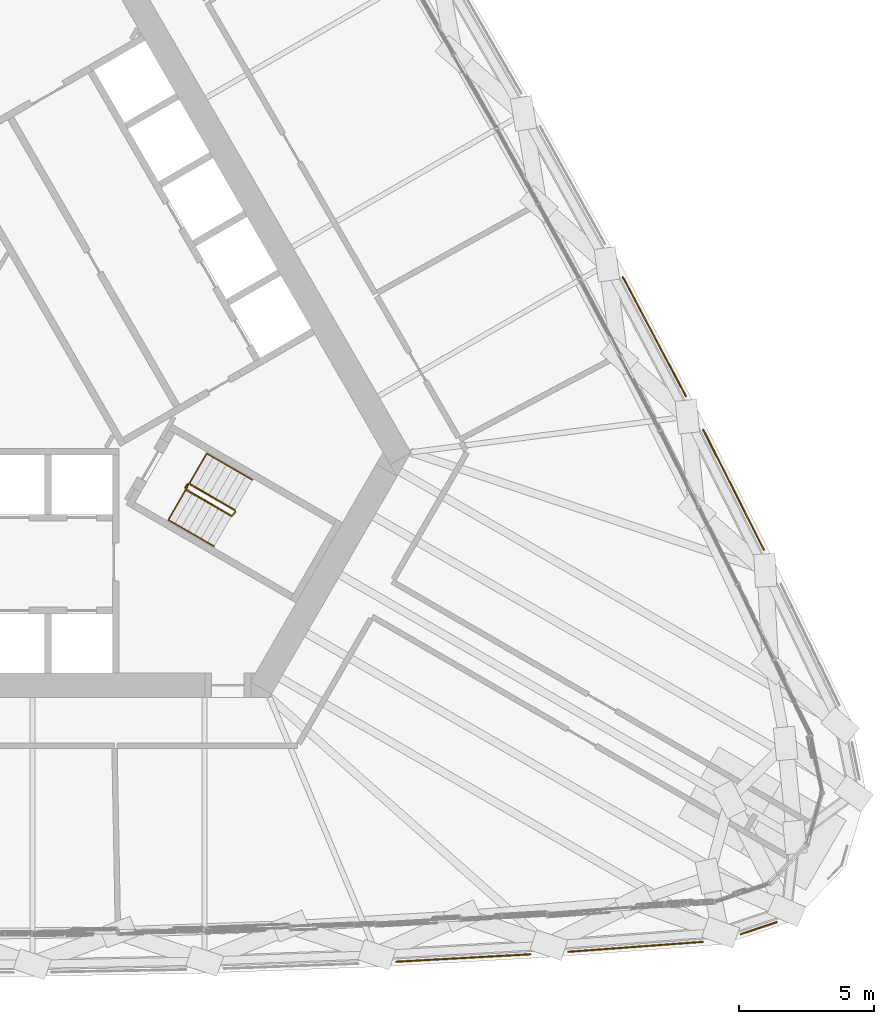
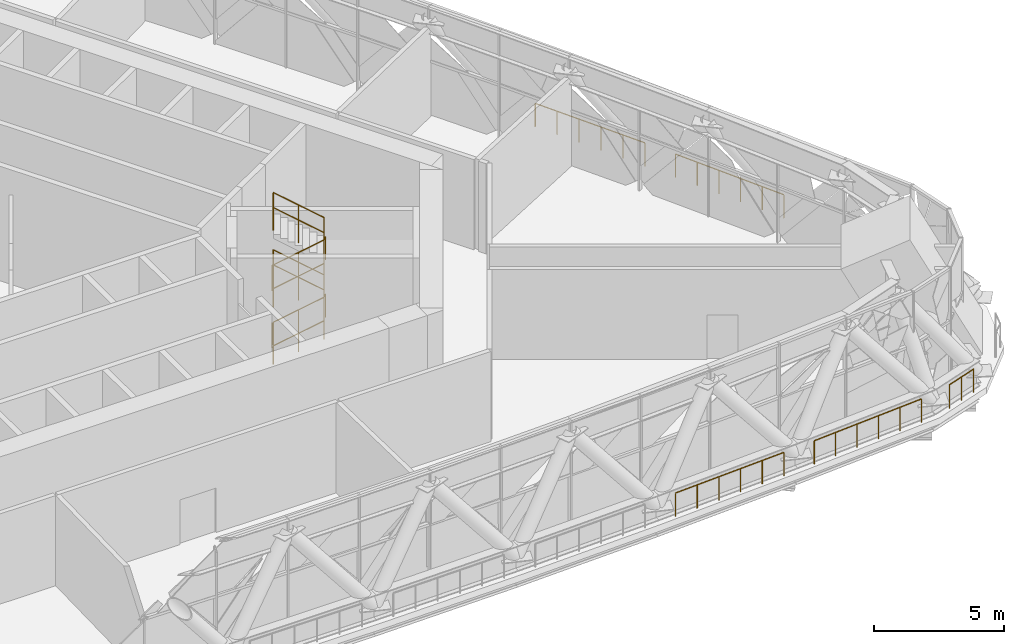
# One storey, part 40 of 43: 11 railings.
"""IFC4 building model written with IfcOpenShell, lengths in metres."""

from ifc_helpers import new_model, si_unit, direction, frame, origin, origin_2d, place, context, subcontext, project, spatial, circle, extrude, material, type_object, element, save


model = new_model("IFC4")

# Units and contexts
model_context = context("Model", 3, precision=1e-05, world=origin(), true_north=direction((0.0, 1.0)))
body_context = subcontext(model_context, "Body", "Model", "MODEL_VIEW")
ifc_project = project(units=[si_unit("LENGTHUNIT", "METRE"), si_unit("AREAUNIT", "SQUARE_METRE"), si_unit("VOLUMEUNIT", "CUBIC_METRE"), si_unit("PLANEANGLEUNIT", "RADIAN"), si_unit("MASSUNIT", "GRAM", prefix="KILO")], contexts=[model_context])

# Site, building, storey
site_placement = place(None, origin())
site = spatial("IfcSite", under=ifc_project, at=site_placement, CompositionType="ELEMENT")
building_placement = place(site_placement, origin())
building = spatial("IfcBuilding", under=site, at=building_placement, Name="Mestral Congress Tower", CompositionType="ELEMENT")
storey_placement = place(building_placement, frame((0.0, 0.0, 78.300048828125)))
storey = spatial("IfcBuildingStorey", under=building, at=storey_placement, Name="L18", CompositionType="ELEMENT", Elevation=78.300048828125)

# Railings
ifc_material_1 = material(Name="Stainless steel", Category="steel")
railing_type_1 = type_object("IfcRailingType", Name="Facade guard 1120 steel and glass", PredefinedType="GUARDRAIL", material=ifc_material_1)
railing_1_placement = place(storey_placement, frame((16.710693359375, -22.819091796875, 0.0)))
element("IfcRailing", 1, at=railing_1_placement, inside=storey, type_object=railing_type_1, Name="Band guard F0-07", PredefinedType="GUARDRAIL", context=body_context, shape_type="SweptSolid", body=[
    extrude(circle(Radius=0.02392578125, at=origin_2d()), frame((0.0, 0.0, 1.09619140625), z_axis=(0.998462156136, 0.055437557343, 0.0), x_axis=(-0.055437557343, 0.998462156136, 0.0)), (0.0, 0.0, 1.0), 4.998291015625),
    extrude(circle(Radius=0.02099609375, at=origin_2d()), origin(), (0.0, 0.0, 1.0), 1.072021484375),
    extrude(circle(Radius=0.02099609375, at=origin_2d()), frame((0.998046875, 0.055419921875, 0.0)), (0.0, 0.0, 1.0), 1.072021484375),
    extrude(circle(Radius=0.02099609375, at=origin_2d()), frame((1.996337890625, 0.11083984375, 0.0)), (0.0, 0.0, 1.0), 1.072021484375),
    extrude(circle(Radius=0.02099609375, at=origin_2d()), frame((2.994384765625, 0.166259765625, 0.0)), (0.0, 0.0, 1.0), 1.072021484375),
    extrude(circle(Radius=0.02099609375, at=origin_2d()), frame((3.99267578125, 0.2216796875, 0.0)), (0.0, 0.0, 1.0), 1.072021484375),
    extrude(circle(Radius=0.02099609375, at=origin_2d()), frame((4.99072265625, 0.277099609375, 0.0)), (0.0, 0.0, 1.0), 1.072021484375),
])
railing_2_placement = place(storey_placement, frame((23.10546875, -22.450927734375, 0.0)))
element("IfcRailing", 2, at=railing_2_placement, inside=storey, type_object=railing_type_1, Name="Band guard F0-08", PredefinedType="GUARDRAIL", context=body_context, shape_type="SweptSolid", body=[
    extrude(circle(Radius=0.02392578125, at=origin_2d()), frame((0.0, 0.0, 1.09619140625), z_axis=(0.997269883304, 0.073842940447, 0.0), x_axis=(-0.073842940447, 0.997269883304, 0.0)), (0.0, 0.0, 1.0), 5.005615234375),
    extrude(circle(Radius=0.02099609375, at=origin_2d()), origin(), (0.0, 0.0, 1.0), 1.072021484375),
    extrude(circle(Radius=0.02099609375, at=origin_2d()), frame((0.998291015625, 0.073974609375, 0.0)), (0.0, 0.0, 1.0), 1.072021484375),
    extrude(circle(Radius=0.02099609375, at=origin_2d()), frame((1.996826171875, 0.14794921875, 0.0)), (0.0, 0.0, 1.0), 1.072021484375),
    extrude(circle(Radius=0.02099609375, at=origin_2d()), frame((2.9951171875, 0.2216796875, 0.0)), (0.0, 0.0, 1.0), 1.072021484375),
    extrude(circle(Radius=0.02099609375, at=origin_2d()), frame((3.99365234375, 0.295654296875, 0.0)), (0.0, 0.0, 1.0), 1.072021484375),
    extrude(circle(Radius=0.02099609375, at=origin_2d()), frame((4.991943359375, 0.36962890625, 0.0)), (0.0, 0.0, 1.0), 1.072021484375),
])
railing_3_placement = place(storey_placement, frame((29.51025390625, -21.797607421875, 0.0)))
element("IfcRailing", 3, at=railing_3_placement, inside=storey, type_object=railing_type_1, Name="Band guard K0-0", PredefinedType="GUARDRAIL", context=body_context, shape_type="SweptSolid", body=[
    extrude(circle(Radius=0.02392578125, at=origin_2d()), frame((0.0, 0.0, 1.09619140625), z_axis=(0.947851773656, 0.31871149207, 0.0), x_axis=(-0.31871149207, 0.947851773656, 0.0)), (0.0, 0.0, 1.0), 1.414794921875),
    extrude(circle(Radius=0.02099609375, at=origin_2d()), origin(), (0.0, 0.0, 1.0), 1.072021484375),
    extrude(circle(Radius=0.02099609375, at=origin_2d()), frame((0.67041015625, 0.2255859375, 0.0)), (0.0, 0.0, 1.0), 1.072021484375),
    extrude(circle(Radius=0.02099609375, at=origin_2d()), frame((1.341064453125, 0.450927734375, 0.0)), (0.0, 0.0, 1.0), 1.072021484375),
])
railing_4_placement = place(storey_placement, frame((30.37255859375, -7.522705078125, 0.0)))
element("IfcRailing", 4, at=railing_4_placement, inside=storey, type_object=railing_type_1, Name="Band guard F1-01", PredefinedType="GUARDRAIL", context=body_context, shape_type="SweptSolid", body=[
    extrude(circle(Radius=0.02392578125, at=origin_2d()), frame((0.0, 0.0, 1.09619140625), z_axis=(-0.451233929645, 0.892405704115, 0.0), x_axis=(-0.892405704115, -0.451233929645, 0.0)), (0.0, 0.0, 1.0), 4.998291015625),
    extrude(circle(Radius=0.02099609375, at=origin_2d()), origin(), (0.0, 0.0, 1.0), 1.072021484375),
    extrude(circle(Radius=0.02099609375, at=origin_2d()), frame((-0.451171875, 0.89208984375, 0.0)), (0.0, 0.0, 1.0), 1.072021484375),
    extrude(circle(Radius=0.02099609375, at=origin_2d()), frame((-0.902099609375, 1.7841796875, 0.0)), (0.0, 0.0, 1.0), 1.072021484375),
    extrude(circle(Radius=0.02099609375, at=origin_2d()), frame((-1.353271484375, 2.67626953125, 0.0)), (0.0, 0.0, 1.0), 1.072021484375),
    extrude(circle(Radius=0.02099609375, at=origin_2d()), frame((-1.80419921875, 3.568359375, 0.0)), (0.0, 0.0, 1.0), 1.072021484375),
    extrude(circle(Radius=0.02099609375, at=origin_2d()), frame((-2.25537109375, 4.46044921875, 0.0)), (0.0, 0.0, 1.0), 1.072021484375),
])
railing_5_placement = place(storey_placement, frame((27.470703125, -1.8125, 0.0)))
element("IfcRailing", 5, at=railing_5_placement, inside=storey, type_object=railing_type_1, Name="Band guard F1-02", PredefinedType="GUARDRAIL", context=body_context, shape_type="SweptSolid", body=[
    extrude(circle(Radius=0.02392578125, at=origin_2d()), frame((0.0, 0.0, 1.09619140625), z_axis=(-0.467649811159, 0.883913827317, 0.0), x_axis=(-0.883913827317, -0.467649811159, 0.0)), (0.0, 0.0, 1.0), 4.998291015625),
    extrude(circle(Radius=0.02099609375, at=origin_2d()), origin(), (0.0, 0.0, 1.0), 1.072021484375),
    extrude(circle(Radius=0.02099609375, at=origin_2d()), frame((-0.467529296875, 0.883544921875, 0.0)), (0.0, 0.0, 1.0), 1.072021484375),
    extrude(circle(Radius=0.02099609375, at=origin_2d()), frame((-0.93505859375, 1.76708984375, 0.0)), (0.0, 0.0, 1.0), 1.072021484375),
    extrude(circle(Radius=0.02099609375, at=origin_2d()), frame((-1.40234375, 2.65087890625, 0.0)), (0.0, 0.0, 1.0), 1.072021484375),
    extrude(circle(Radius=0.02099609375, at=origin_2d()), frame((-1.869873046875, 3.534423828125, 0.0)), (0.0, 0.0, 1.0), 1.072021484375),
    extrude(circle(Radius=0.02099609375, at=origin_2d()), frame((-2.33740234375, 4.41796875, 0.0)), (0.0, 0.0, 1.0), 1.072021484375),
])
ifc_material_2 = material(Name="Steel balustrade", Category="steel")
railing_type_2 = type_object("IfcRailingType", Name="Stair guard 1100", PredefinedType="GUARDRAIL", material=ifc_material_2)
railing_6_placement = place(storey_placement, frame((8.90087890625, -5.283203125, 0.168701171875)))
element("IfcRailing", 6, at=railing_6_placement, inside=storey, type_object=railing_type_2, Name="L18 ST1 stair guard 1", PredefinedType="GUARDRAIL", context=body_context, shape_type="SweptSolid", body=[
    extrude(circle(Radius=0.02392578125, at=origin_2d()), frame((0.0, 0.0, 1.076171875), z_axis=(0.741771397394, -0.428228158944, 0.516135484049), x_axis=(0.499970440388, 0.866042469362, 0.0)), (0.0, 0.0, 1.0), 2.28857421875),
    extrude(circle(Radius=0.02392578125, at=origin_2d()), frame((1.697509765625, -0.97998046875, 2.25732421875), z_axis=(0.694552208452, 0.71944230466, 0.0), x_axis=(-0.71944230466, 0.694552208452, 0.0)), (0.0, 0.0, 1.0), 0.2060546875),
    extrude(circle(Radius=0.02099609375, at=origin_2d()), origin(), (0.0, 0.0, 1.0), 1.052001953125),
    extrude(circle(Radius=0.02099609375, at=origin_2d()), frame((0.8486328125, -0.489990234375, 0.590576171875)), (0.0, 0.0, 1.0), 1.052001953125),
    extrude(circle(Radius=0.02099609375, at=origin_2d()), frame((1.697509765625, -0.97998046875, 1.18115234375)), (0.0, 0.0, 1.0), 1.052001953125),
    extrude(circle(Radius=0.02099609375, at=origin_2d()), frame((1.840576171875, -0.831787109375, 1.18115234375)), (0.0, 0.0, 1.0), 1.052001953125),
])
railing_7_placement = place(storey_placement, frame((10.723388671875, -6.046630859375, 1.518798828125)))
element("IfcRailing", 7, at=railing_7_placement, inside=storey, type_object=railing_type_2, Name="L18 ST1 stair guard 2", PredefinedType="GUARDRAIL", context=body_context, shape_type="SweptSolid", body=[
    extrude(circle(Radius=0.02392578125, at=origin_2d()), frame((0.0, 0.0, 1.076171875), z_axis=(-0.741771397394, 0.428228158944, 0.516135484049), x_axis=(-0.499970440388, -0.866042469362, 0.0)), (0.0, 0.0, 1.0), 2.28857421875),
    extrude(circle(Radius=0.02392578125, at=origin_2d()), frame((-1.697509765625, 0.97998046875, 2.25732421875), z_axis=(-0.965948051503, -0.258736085224, 0.0), x_axis=(0.258736085224, -0.965948051503, 0.0)), (0.0, 0.0, 1.0), 0.07080078125),
    extrude(circle(Radius=0.02392578125, at=origin_2d()), frame((-1.765869140625, 0.961669921875, 2.25732421875), z_axis=(-0.499816412211, -0.866131372301, 0.0), x_axis=(0.866131372301, -0.499816412211, 0.0)), (0.0, 0.0, 1.0), 0.14990234375),
    extrude(circle(Radius=0.02099609375, at=origin_2d()), origin(), (0.0, 0.0, 1.0), 1.052001953125),
    extrude(circle(Radius=0.02099609375, at=origin_2d()), frame((-0.8486328125, 0.489990234375, 0.590576171875)), (0.0, 0.0, 1.0), 1.052001953125),
    extrude(circle(Radius=0.02099609375, at=origin_2d()), frame((-1.697509765625, 0.97998046875, 1.18115234375)), (0.0, 0.0, 1.0), 1.052001953125),
    extrude(circle(Radius=0.02099609375, at=origin_2d()), frame((-1.765869140625, 0.961669921875, 1.18115234375)), (0.0, 0.0, 1.0), 1.052001953125),
    extrude(circle(Radius=0.02099609375, at=origin_2d()), frame((-1.8408203125, 0.831787109375, 1.18115234375)), (0.0, 0.0, 1.0), 1.052001953125),
])
railing_8_placement = place(storey_placement, frame((8.90087890625, -5.283203125, 2.86865234375)))
element("IfcRailing", 8, at=railing_8_placement, inside=storey, type_object=railing_type_2, Name="L18 ST1 stair guard 3", PredefinedType="GUARDRAIL", context=body_context, shape_type="SweptSolid", body=[
    extrude(circle(Radius=0.02392578125, at=origin_2d()), frame((0.0, 0.0, 1.076171875), z_axis=(0.741730552229, -0.428204578836, 0.516213741153), x_axis=(0.499970440388, 0.866042469362, 0.0)), (0.0, 0.0, 1.0), 2.28857421875),
    extrude(circle(Radius=0.02392578125, at=origin_2d()), frame((1.697509765625, -0.97998046875, 2.25732421875), z_axis=(0.694552208452, 0.71944230466, 0.0), x_axis=(-0.71944230466, 0.694552208452, 0.0)), (0.0, 0.0, 1.0), 0.2060546875),
    extrude(circle(Radius=0.02099609375, at=origin_2d()), origin(), (0.0, 0.0, 1.0), 1.052001953125),
    extrude(circle(Radius=0.02099609375, at=origin_2d()), frame((0.8486328125, -0.489990234375, 0.5908203125)), (0.0, 0.0, 1.0), 1.052001953125),
    extrude(circle(Radius=0.02099609375, at=origin_2d()), frame((1.697509765625, -0.97998046875, 1.181396484375)), (0.0, 0.0, 1.0), 1.052001953125),
    extrude(circle(Radius=0.02099609375, at=origin_2d()), frame((1.840576171875, -0.831787109375, 1.181396484375)), (0.0, 0.0, 1.0), 1.052001953125),
])
railing_9_placement = place(storey_placement, frame((10.723388671875, -6.046630859375, 4.21875)))
element("IfcRailing", 9, at=railing_9_placement, inside=storey, type_object=railing_type_2, Name="L18 ST1 stair guard 4", PredefinedType="GUARDRAIL", context=body_context, shape_type="SweptSolid", body=[
    extrude(circle(Radius=0.02392578125, at=origin_2d()), frame((0.0, 0.0, 1.076171875), z_axis=(-0.741771397394, 0.428228158944, 0.516135484049), x_axis=(-0.499970440388, -0.866042469362, 0.0)), (0.0, 0.0, 1.0), 2.28857421875),
    extrude(circle(Radius=0.02099609375, at=origin_2d()), origin(), (0.0, 0.0, 1.0), 1.052001953125),
    extrude(circle(Radius=0.02099609375, at=origin_2d()), frame((-0.8486328125, 0.489990234375, 0.590576171875)), (0.0, 0.0, 1.0), 1.052001953125),
    extrude(circle(Radius=0.02099609375, at=origin_2d()), frame((-1.697509765625, 0.97998046875, 1.18115234375)), (0.0, 0.0, 1.0), 1.052001953125),
])
railing_10_placement = place(storey_placement, frame((8.882568359375, -5.21484375, 0.0)))
element("IfcRailing", 10, at=railing_10_placement, inside=storey, type_object=railing_type_2, Name="L18 ST1 stair guard 5", PredefinedType="GUARDRAIL", context=body_context, shape_type="SweptSolid", body=[
    extrude(circle(Radius=0.02392578125, at=origin_2d()), frame((0.0, 0.0, 1.076171875), z_axis=(0.499816412211, 0.866131372301, 0.0), x_axis=(-0.866131372301, 0.499816412211, 0.0)), (0.0, 0.0, 1.0), 0.14990234375),
    extrude(circle(Radius=0.02099609375, at=origin_2d()), origin(), (0.0, 0.0, 1.0), 1.052001953125),
    extrude(circle(Radius=0.02099609375, at=origin_2d()), frame((0.074951171875, 0.1298828125, 0.0)), (0.0, 0.0, 1.0), 1.052001953125),
])
ifc_material_3 = material(Name="Steel handrail", Category="steel")
railing_type_3 = type_object("IfcRailingType", Name="Stair handrail 900", PredefinedType="HANDRAIL", material=ifc_material_3)
railing_11_placement = place(storey_placement, frame((8.2509765625, -6.4091796875, 0.168701171875)))
element("IfcRailing", 11, at=railing_11_placement, inside=storey, type_object=railing_type_3, Name="L18 ST1 stair handrail 1", PredefinedType="HANDRAIL", context=body_context, shape_type="SweptSolid", body=[
    extrude(circle(Radius=0.02392578125, at=origin_2d()), frame((0.0, 0.0, 0.8759765625), z_axis=(0.74172340804, -0.428262048313, 0.516176330279), x_axis=(0.500024377727, 0.866011328839, 0.0)), (0.0, 0.0, 1.0), 2.288330078125),
    extrude(circle(Radius=0.02392578125, at=origin_2d()), frame((1.697265625, -0.97998046875, 2.05712890625), z_axis=(0.0, 0.0, 1.0), x_axis=(1.0, 0.0, 0.0)), (0.0, 0.0, 1.0), 2.7001953125),
    extrude(circle(Radius=0.02392578125, at=origin_2d()), frame((1.697265625, -0.97998046875, 4.75732421875), z_axis=(-0.741682559053, 0.428238462606, -0.516254589076), x_axis=(-0.500024377727, -0.866011328839, 0.0)), (0.0, 0.0, 1.0), 2.288330078125),
    extrude(circle(Radius=0.02392578125, at=origin_2d()), frame((0.0, 0.0, 3.57568359375), z_axis=(0.499061461536, 0.86454958467, -0.059090382098), x_axis=(-0.866062911188, 0.499935029643, 0.0)), (0.0, 0.0, 1.0), 2.85498046875),
    extrude(circle(Radius=0.02392578125, at=origin_2d()), frame((1.4248046875, 2.46826171875, 3.4072265625), z_axis=(0.741771397394, -0.428228158944, -0.516135484049), x_axis=(0.499970440388, 0.866042469362, 0.0)), (0.0, 0.0, 1.0), 2.28857421875),
    extrude(circle(Radius=0.02392578125, at=origin_2d()), frame((3.122314453125, 1.48828125, 2.22607421875), z_axis=(0.0, 0.0, 1.0), x_axis=(1.0, 0.0, 0.0)), (0.0, 0.0, 1.0), 2.699951171875),
    extrude(circle(Radius=0.02392578125, at=origin_2d()), frame((3.122314453125, 1.48828125, 4.92578125), z_axis=(-0.741771397394, 0.428228158944, 0.516135484049), x_axis=(-0.499970440388, -0.866042469362, 0.0)), (0.0, 0.0, 1.0), 2.28857421875),
    extrude(circle(Radius=0.02099609375, at=origin_2d()), origin(), (0.0, 0.0, 1.0), 0.851806640625),
    extrude(circle(Radius=0.02099609375, at=origin_2d()), frame((0.8486328125, -0.489990234375, 0.590576171875)), (0.0, 0.0, 1.0), 0.851806640625),
    extrude(circle(Radius=0.02099609375, at=origin_2d()), frame((1.697265625, -0.97998046875, 1.18115234375)), (0.0, 0.0, 1.0), 0.851806640625),
    extrude(circle(Radius=0.02099609375, at=origin_2d()), frame((1.697265625, -0.97998046875, 2.081298828125)), (0.0, 0.0, 1.0), 0.851806640625),
    extrude(circle(Radius=0.02099609375, at=origin_2d()), frame((1.697265625, -0.97998046875, 2.981201171875)), (0.0, 0.0, 1.0), 0.851806640625),
    extrude(circle(Radius=0.02099609375, at=origin_2d()), frame((1.697265625, -0.97998046875, 3.88134765625)), (0.0, 0.0, 1.0), 0.851806640625),
    extrude(circle(Radius=0.02099609375, at=origin_2d()), frame((0.8486328125, -0.489990234375, 3.29052734375)), (0.0, 0.0, 1.0), 0.851806640625),
    extrude(circle(Radius=0.02099609375, at=origin_2d()), frame((0.0, 0.0, 2.699951171875)), (0.0, 0.0, 1.0), 0.851806640625),
    extrude(circle(Radius=0.02099609375, at=origin_2d()), frame((0.474853515625, 0.82275390625, 2.643798828125)), (0.0, 0.0, 1.0), 0.851806640625),
    extrude(circle(Radius=0.02099609375, at=origin_2d()), frame((0.949951171875, 1.6455078125, 2.58740234375)), (0.0, 0.0, 1.0), 0.851806640625),
    extrude(circle(Radius=0.02099609375, at=origin_2d()), frame((1.4248046875, 2.46826171875, 2.53125)), (0.0, 0.0, 1.0), 0.851806640625),
    extrude(circle(Radius=0.02099609375, at=origin_2d()), frame((2.2734375, 1.978271484375, 1.940673828125)), (0.0, 0.0, 1.0), 0.851806640625),
    extrude(circle(Radius=0.02099609375, at=origin_2d()), frame((3.122314453125, 1.48828125, 1.35009765625)), (0.0, 0.0, 1.0), 0.851806640625),
    extrude(circle(Radius=0.02099609375, at=origin_2d()), frame((3.122314453125, 1.48828125, 2.25)), (0.0, 0.0, 1.0), 0.851806640625),
    extrude(circle(Radius=0.02099609375, at=origin_2d()), frame((3.122314453125, 1.48828125, 3.150146484375)), (0.0, 0.0, 1.0), 0.851806640625),
    extrude(circle(Radius=0.02099609375, at=origin_2d()), frame((3.122314453125, 1.48828125, 4.050048828125)), (0.0, 0.0, 1.0), 0.851806640625),
    extrude(circle(Radius=0.02099609375, at=origin_2d()), frame((2.2734375, 1.978271484375, 4.640625)), (0.0, 0.0, 1.0), 0.851806640625),
    extrude(circle(Radius=0.02099609375, at=origin_2d()), frame((1.4248046875, 2.46826171875, 5.231201171875)), (0.0, 0.0, 1.0), 0.851806640625),
])

save(model, "model.ifc")
